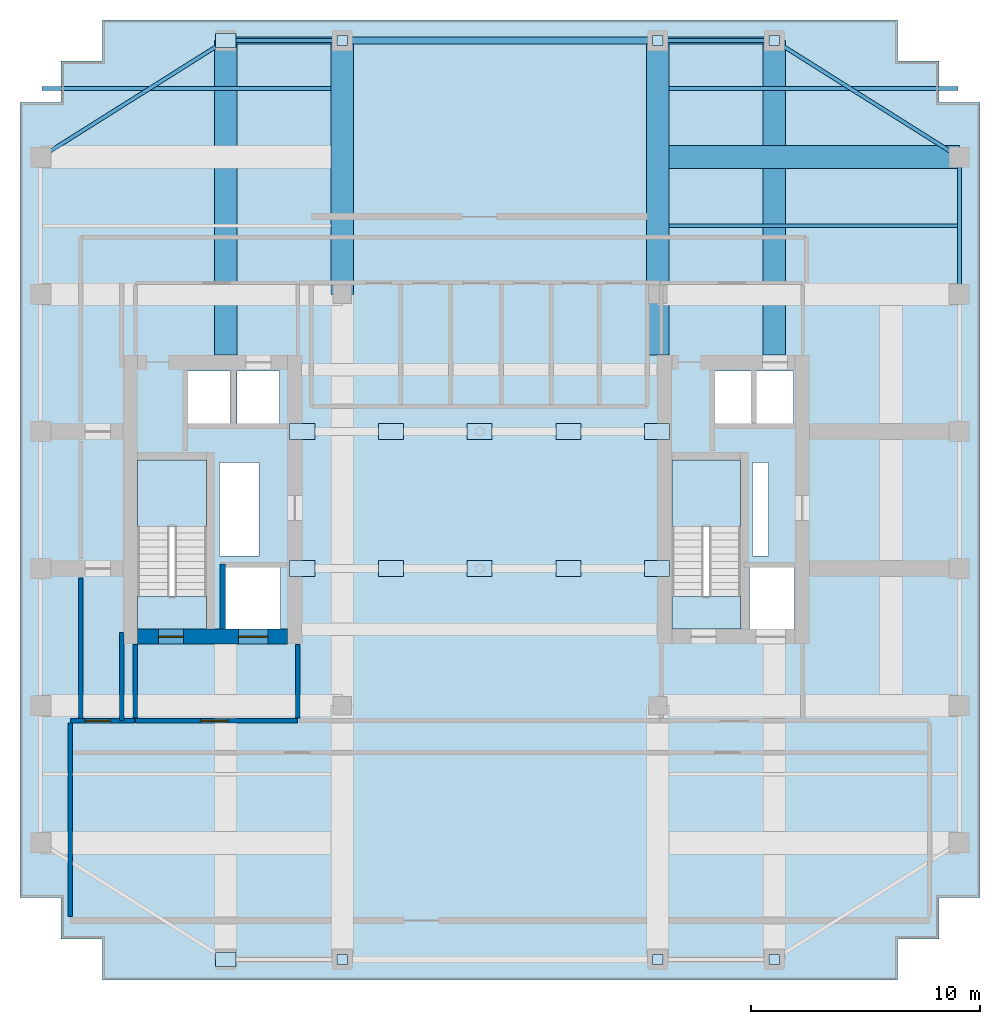
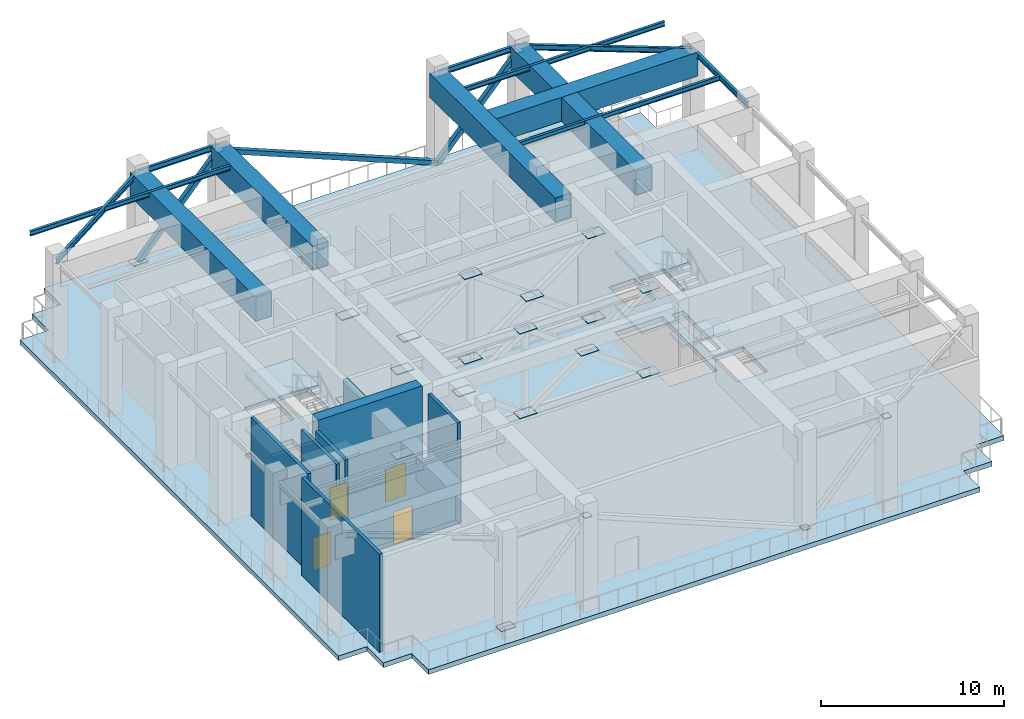
# One storey, part 3 of 9: 24 plates, 13 beams, 9 walls, 7 slabs, 4 doors, 3 members, 4 openings, 2 elements without a shape of their own.
"""IFC4 building model written with IfcOpenShell, lengths in metres."""

from ifc_helpers import new_model, si_unit, direction, frame, frame_2d, origin, origin_2d, place, context, subcontext, project, spatial, polyline, rectangle, hollow_rectangle, i_section, outline, extrude, source, transform, mapped, material, layer, layer_set, material_profile, profile_set, type_object, element, fill, aggregate, save


model = new_model("IFC4")

# Units and contexts
model_context = context("Model", 3, precision=1e-05, world=origin(), true_north=direction((0.0, 1.0)))
body_context = subcontext(model_context, "Body", "Model", "MODEL_VIEW")
ifc_project = project(units=[si_unit("LENGTHUNIT", "METRE"), si_unit("AREAUNIT", "SQUARE_METRE"), si_unit("VOLUMEUNIT", "CUBIC_METRE"), si_unit("PLANEANGLEUNIT", "RADIAN"), si_unit("MASSUNIT", "GRAM", prefix="KILO")], contexts=[model_context])

# Site, building, storey
site_placement = place(None, origin())
site = spatial("IfcSite", under=ifc_project, at=site_placement, CompositionType="ELEMENT")
building_placement = place(site_placement, origin())
building = spatial("IfcBuilding", under=site, at=building_placement, Name="Khoralis Quay Care Tower", CompositionType="ELEMENT")
storey_placement = place(building_placement, frame((0.0, 0.0, 220.5)))
storey = spatial("IfcBuildingStorey", under=building, at=storey_placement, Name="L58", CompositionType="ELEMENT", Elevation=220.5)

# Beams
ifc_material_1 = material(Name="Concrete C80/95", Category="concrete")
ifc_material_profile_1 = material_profile(ifc_material_1, rectangle(XDim=1.0, YDim=1.60009765625, at=origin_2d()), Name="Concrete C80/95")
ifc_profile_set_1 = profile_set([ifc_material_profile_1], Name="Concrete C80/95")
beam_type_1 = type_object("IfcBeamType", Name="TG-RC1000X1600", PredefinedType="BEAM", material=ifc_profile_set_1)
shared_shape_1 = source(origin(), body_context, "Body", "SweptSolid", [
    extrude(rectangle(XDim=1.0, YDim=1.60009765625, at=origin_2d()), origin(), (0.0, 0.0, 1.0), 11.10009765625),
])
beam_1_placement = place(storey_placement, frame((17.10009765625, 30.0, 5.75), z_axis=(0.0, 1.0, 0.0), x_axis=(-1.0, 0.0, 0.0)))
element("IfcBeam", 1, at=beam_1_placement, inside=storey, type_object=beam_type_1, Name="L58 Transfer girder BM-TGYN-L58-171", PredefinedType="BEAM", context=body_context, shape_type="MappedRepresentation", body=[
    mapped(shared_shape_1, transform((0.0, 0.0, 0.0), scale=1.0)),
])
shared_shape_2 = source(origin(), body_context, "Body", "SweptSolid", [
    extrude(rectangle(XDim=1.0, YDim=1.60009765625, at=origin_2d()), origin(), (0.0, 0.0, 1.0), 12.712158203125),
])
beam_2_placement = place(storey_placement, frame((31.387939453125, 36.0, 5.75), z_axis=(1.0, 0.0, 0.0), x_axis=(0.0, 1.0, 0.0)))
element("IfcBeam", 2, at=beam_2_placement, inside=storey, type_object=beam_type_1, Name="L58 Transfer girder BM-TGXE-L58-360", PredefinedType="BEAM", context=body_context, shape_type="MappedRepresentation", body=[
    mapped(shared_shape_2, transform((0.0, 0.0, 0.0), scale=1.0)),
])
ifc_material_2 = material(Name="Steel S355", Category="steel")
ifc_material_profile_2 = material_profile(ifc_material_2, i_section(OverallWidth=0.169921875, OverallDepth=0.360107421875, WebThickness=0.008056640625, FlangeThickness=0.0126953125, FilletRadius=0.01806640625, at=origin_2d()), Name="Steel S355")
ifc_profile_set_2 = profile_set([ifc_material_profile_2], Name="Steel S355")
beam_type_2 = type_object("IfcBeamType", Name="BM-IPE360", PredefinedType="SPANDREL", material=ifc_profile_set_2)
shared_shape_3 = source(origin(), body_context, "Body", "SweptSolid", [
    extrude(i_section(OverallWidth=0.169921875, OverallDepth=0.360107421875, WebThickness=0.008056640625, FlangeThickness=0.0126953125, FilletRadius=0.01806640625, at=origin_2d()), origin(), (0.0, 0.0, 1.0), 5.10009765625),
])
for number, where, z_axis, x_axis, name in (
    (3, (12.0, 41.10009765625, 6.3701171875), (1.0, 0.0, 0.0), (0.0, 1.0, 0.0), "BM-TSP-L58-03"),
    (4, (30.89990234375, 41.10009765625, 6.3701171875), (1.0, 0.0, 0.0), (0.0, 1.0, 0.0), "BM-TSP-L58-04"),
):
    element("IfcBeam", number, at=place(storey_placement, frame(where, z_axis=z_axis, x_axis=x_axis)), inside=storey, type_object=beam_type_2, Name=name, PredefinedType="SPANDREL", context=body_context, shape_type="MappedRepresentation", body=[
        mapped(shared_shape_3, transform((0.0, 0.0, 0.0), scale=1.0)),
    ])
shared_shape_4 = source(origin(), body_context, "Body", "SweptSolid", [
    extrude(i_section(OverallWidth=0.169921875, OverallDepth=0.360107421875, WebThickness=0.008056640625, FlangeThickness=0.0126953125, FilletRadius=0.01806640625, at=origin_2d()), origin(), (0.0, 0.0, 1.0), 6.0),
])
beam_3_placement = place(storey_placement, frame((44.10009765625, 30.0, 6.3701171875), z_axis=(0.0, 1.0, 0.0), x_axis=(-1.0, 0.0, 0.0)))
element("IfcBeam", 5, at=beam_3_placement, inside=storey, type_object=beam_type_2, Name="BM-TSP-L58-14", PredefinedType="SPANDREL", context=body_context, shape_type="MappedRepresentation", body=[
    mapped(shared_shape_4, transform((0.0, 0.0, 0.0), scale=1.0)),
])
shared_shape_5 = source(origin(), body_context, "Body", "SweptSolid", [
    extrude(i_section(OverallWidth=0.169921875, OverallDepth=0.360107421875, WebThickness=0.008056640625, FlangeThickness=0.0126953125, FilletRadius=0.01806640625, at=origin_2d()), origin(), (0.0, 0.0, 1.0), 9.572021484375),
])
for number, where, z_axis, x_axis, name in (
    (6, (12.0, 41.10009765625, 6.3701171875), (-0.846231136359, -0.532815975602, 0.0), (0.532815975602, -0.846231136359, 0.0), "BM-TCR-L58-17"),
    (7, (36.0, 41.10009765625, 6.3701171875), (0.846231136359, -0.532815975602, 0.0), (0.532815975602, 0.846231136359, 0.0), "BM-TCR-L58-18"),
):
    element("IfcBeam", number, at=place(storey_placement, frame(where, z_axis=z_axis, x_axis=x_axis)), inside=storey, type_object=beam_type_2, Name=name, PredefinedType="SPANDREL", context=body_context, shape_type="MappedRepresentation", body=[
        mapped(shared_shape_5, transform((0.0, 0.0, 0.0), scale=1.0)),
    ])
shared_shape_6 = source(origin(), body_context, "Body", "SweptSolid", [
    extrude(rectangle(XDim=1.0, YDim=1.60009765625, at=origin_2d()), origin(), (0.0, 0.0, 1.0), 13.752197265625),
])
for number, where, z_axis, x_axis, name in (
    (8, (12.0, 27.347900390625, 5.75), (0.0, 1.0, 0.0), (-1.0, 0.0, 0.0), "L58 Transfer girder BM-TGYN-L58-120"),
    (9, (30.89990234375, 27.347900390625, 5.75), (0.0, 1.0, 0.0), (-1.0, 0.0, 0.0), "L58 Transfer girder BM-TGYN-L58-309"),
    (10, (36.0, 27.347900390625, 5.75), (0.0, 1.0, 0.0), (-1.0, 0.0, 0.0), "L58 Transfer girder BM-TGYN-L58-360"),
):
    element("IfcBeam", number, at=place(storey_placement, frame(where, z_axis=z_axis, x_axis=x_axis)), inside=storey, type_object=beam_type_1, Name=name, PredefinedType="BEAM", context=body_context, shape_type="MappedRepresentation", body=[
        mapped(shared_shape_6, transform((0.0, 0.0, 0.0), scale=1.0)),
    ])
ifc_material_profile_3 = material_profile(ifc_material_2, i_section(OverallWidth=0.1650390625, OverallDepth=0.31005859375, WebThickness=0.005859375, FlangeThickness=0.009765625, FilletRadius=0.011962890625, at=origin_2d()), Name="Steel S355")
ifc_profile_set_3 = profile_set([ifc_material_profile_3], Name="Steel S355")
beam_type_3 = type_object("IfcBeamType", Name="BM-W310X39", PredefinedType="JOIST", material=ifc_profile_set_3)
shared_shape_7 = source(origin(), body_context, "Body", "SweptSolid", [
    extrude(i_section(OverallWidth=0.1650390625, OverallDepth=0.31005859375, WebThickness=0.005859375, FlangeThickness=0.009765625, FilletRadius=0.011962890625, at=origin_2d()), origin(), (0.0, 0.0, 1.0), 12.64111328125),
])
for number, where, z_axis, x_axis, name in (
    (11, (31.387939453125, 33.0, 6.39501953125), (1.0, 0.0, 0.0), (0.0, 1.0, 0.0), "BM-TJS-L58-22"),
    (12, (3.970947265625, 39.0, 6.39501953125), (1.0, 0.0, 0.0), (0.0, 1.0, 0.0), "BM-TJS-L58-23"),
    (13, (31.387939453125, 39.0, 6.39501953125), (1.0, 0.0, 0.0), (0.0, 1.0, 0.0), "BM-TJS-L58-24"),
):
    element("IfcBeam", number, at=place(storey_placement, frame(where, z_axis=z_axis, x_axis=x_axis)), inside=storey, type_object=beam_type_3, Name=name, PredefinedType="JOIST", context=body_context, shape_type="MappedRepresentation", body=[
        mapped(shared_shape_7, transform((0.0, 0.0, 0.0), scale=1.0)),
    ])

# Members
ifc_material_profile_4 = material_profile(ifc_material_2, hollow_rectangle(XDim=0.300048828125, YDim=0.300048828125, WallThickness=0.01611328125, at=origin_2d()), Name="Steel S355")
ifc_profile_set_4 = profile_set([ifc_material_profile_4], Name="Steel S355")
member_type = type_object("IfcMemberType", Name="BR-RHS300X300X16", PredefinedType="BRACE", material=ifc_profile_set_4)
shared_shape_8 = source(origin(), body_context, "Body", "SweptSolid", [
    extrude(hollow_rectangle(XDim=0.300048828125, YDim=0.300048828125, WallThickness=0.01611328125, at=origin_2d()), origin(), (0.0, 0.0, 1.0), 7.611572265625),
])
for number, where, z_axis, x_axis, name in (
    (14, (12.0, 41.10009765625, 0.449951171875), (0.670050319951, 0.0, 0.742315679973), (0.0, 1.0, 0.0), "L58 Belt truss diagonal 4"),
    (15, (30.89990234375, 41.10009765625, 0.449951171875), (0.670050319951, 0.0, 0.742315679973), (0.0, 1.0, 0.0), "L58 Belt truss diagonal 6"),
):
    element("IfcMember", number, at=place(storey_placement, frame(where, z_axis=z_axis, x_axis=x_axis)), inside=storey, type_object=member_type, Name=name, PredefinedType="BRACE", context=body_context, shape_type="MappedRepresentation", body=[
        mapped(shared_shape_8, transform((0.0, 0.0, 0.0), scale=1.0)),
    ])
shared_shape_9 = source(origin(), body_context, "Body", "SweptSolid", [
    extrude(hollow_rectangle(XDim=0.300048828125, YDim=0.300048828125, WallThickness=0.01611328125, at=origin_2d()), origin(), (0.0, 0.0, 1.0), 14.91162109375),
])
member_placement = place(storey_placement, frame((17.10009765625, 41.10009765625, 6.10009765625), z_axis=(0.925434771765, 0.0, -0.378906958512), x_axis=(0.0, 1.0, 0.0)))
element("IfcMember", 16, at=member_placement, inside=storey, type_object=member_type, Name="L58 Belt truss diagonal 5", PredefinedType="BRACE", context=body_context, shape_type="MappedRepresentation", body=[
    mapped(shared_shape_9, transform((0.0, 0.0, 0.0), scale=1.0)),
])

# Slab
ifc_material_3 = material(Name="Concrete C50/60", Category="concrete")
ifc_layer_1 = layer(ifc_material_3, 0.320068359375)
ifc_layer_set_1 = layer_set([ifc_layer_1], Name="Concrete C50/60")
slab_type_1 = type_object("IfcSlabType", Name="SLB-EXT-WIND-320", PredefinedType="FLOOR", material=ifc_layer_set_1)
slab_1_placement = place(storey_placement, frame((0.0, 0.0, -0.320068359375)))
element("IfcSlab", 17, at=slab_1_placement, inside=storey, type_object=slab_type_1, Name="Tower Floor Slab L58", PredefinedType="FLOOR", context=body_context, shape_type="SweptSolid", body=[
    extrude(outline(polyline([(6.60009765625, 0.0), (41.39990234375, 0.0), (41.39990234375, 1.800048828125), (43.199951171875, 1.800048828125), (43.199951171875, 3.60009765625), (45.0, 3.60009765625), (45.0, 38.39990234375), (43.199951171875, 38.39990234375), (43.199951171875, 40.199951171875), (41.39990234375, 40.199951171875), (41.39990234375, 42.0), (6.60009765625, 42.0), (6.60009765625, 40.199951171875), (4.800048828125, 40.199951171875), (4.800048828125, 38.39990234375), (3.0, 38.39990234375), (3.0, 3.60009765625), (4.800048828125, 3.60009765625), (4.800048828125, 1.800048828125), (6.60009765625, 1.800048828125), (6.60009765625, 0.0)]), holes=[polyline([(11.14990234375, 16.800048828125), (11.14990234375, 22.75), (8.14990234375, 22.75), (8.14990234375, 16.800048828125), (11.14990234375, 16.800048828125)]), polyline([(34.52001953125, 16.800048828125), (34.52001953125, 22.75), (31.52001953125, 22.75), (31.52001953125, 16.800048828125), (34.52001953125, 16.800048828125)]), polyline([(12.0, 15.35009765625), (14.39990234375, 15.35009765625), (14.39990234375, 18.050048828125), (12.0, 18.050048828125), (12.0, 15.35009765625)]), polyline([(34.919921875, 15.35009765625), (36.8798828125, 15.35009765625), (36.8798828125, 18.050048828125), (34.919921875, 18.050048828125), (34.919921875, 15.35009765625)]), polyline([(10.35009765625, 24.35009765625), (12.199951171875, 24.35009765625), (12.199951171875, 26.64990234375), (10.35009765625, 26.64990234375), (10.35009765625, 24.35009765625)]), polyline([(33.3798828125, 24.35009765625), (35.030029296875, 24.35009765625), (35.030029296875, 26.64990234375), (33.3798828125, 26.64990234375), (33.3798828125, 24.35009765625)]), polyline([(12.5, 24.35009765625), (14.35009765625, 24.35009765625), (14.35009765625, 26.64990234375), (12.5, 26.64990234375), (12.5, 24.35009765625)]), polyline([(35.199951171875, 24.35009765625), (36.85009765625, 24.35009765625), (36.85009765625, 26.64990234375), (35.199951171875, 26.64990234375), (35.199951171875, 24.35009765625)]), polyline([(11.719970703125, 18.550048828125), (13.449951171875, 18.550048828125), (13.449951171875, 22.64990234375), (11.719970703125, 22.64990234375), (11.719970703125, 18.550048828125)]), polyline([(35.050048828125, 18.550048828125), (35.75, 18.550048828125), (35.75, 22.64990234375), (35.050048828125, 22.64990234375), (35.050048828125, 18.550048828125)])]), origin(), (0.0, 0.0, 1.0), 0.320068359375),
])

# Stair, slabs
ifc_material_4 = material(Name="Precast concrete C45/55", Category="concrete")
stair_type = type_object("IfcStairType", Name="ST-TWR-DOGLEG-1400", PredefinedType="HALF_TURN_STAIR", material=ifc_material_4)
stair_1_placement = place(storey_placement, origin())
stair_1 = element("IfcStair", 18, at=stair_1_placement, inside=storey, type_object=stair_type, Name="L58 West Core Exit Stair ST-T1", PredefinedType="HALF_TURN_STAIR")
ifc_layer_2 = layer(ifc_material_4, 0.199951171875)
ifc_layer_set_2 = layer_set([ifc_layer_2], Name="Precast concrete C45/55")
slab_type_2 = type_object("IfcSlabType", Name="SLB-LANDING-200", PredefinedType="LANDING", material=ifc_layer_set_2)
slab_2_placement = place(storey_placement, frame((0.0, 0.0, 1.60009765625)))
slab_2 = element("IfcSlab", 19, at=slab_2_placement, type_object=slab_type_2, Name="ST-T1 landing 1", PredefinedType="LANDING", context=body_context, shape_type="SweptSolid", body=[
    extrude(outline(polyline([(11.14990234375, 19.840087890625), (11.14990234375, 22.75), (8.14990234375, 22.75), (8.14990234375, 19.840087890625), (11.14990234375, 19.840087890625)])), origin(), (0.0, 0.0, 1.0), 0.199951171875),
])
slab_3_placement = place(storey_placement, frame((0.0, 0.0, 3.39990234375)))
slab_3 = element("IfcSlab", 20, at=slab_3_placement, type_object=slab_type_2, Name="ST-T1 landing 2", PredefinedType="LANDING", context=body_context, shape_type="SweptSolid", body=[
    extrude(outline(polyline([(11.14990234375, 15.35009765625), (11.14990234375, 16.800048828125), (8.14990234375, 16.800048828125), (8.14990234375, 15.35009765625), (11.14990234375, 15.35009765625)])), origin(), (0.0, 0.0, 1.0), 0.2001953125),
])
slab_4_placement = place(storey_placement, frame((0.0, 0.0, 5.199951171875)))
slab_4 = element("IfcSlab", 21, at=slab_4_placement, type_object=slab_type_2, Name="ST-T1 landing 3", PredefinedType="LANDING", context=body_context, shape_type="SweptSolid", body=[
    extrude(outline(polyline([(11.14990234375, 19.840087890625), (11.14990234375, 22.75), (8.14990234375, 22.75), (8.14990234375, 19.840087890625), (11.14990234375, 19.840087890625)])), origin(), (0.0, 0.0, 1.0), 0.199951171875),
])
aggregate(stair_1, [slab_2, slab_3, slab_4])

stair_2_placement = place(storey_placement, origin())
stair_2 = element("IfcStair", 22, at=stair_2_placement, inside=storey, type_object=stair_type, Name="L58 East Core Exit Stair ST-T2", PredefinedType="HALF_TURN_STAIR")
slab_5_placement = place(storey_placement, frame((0.0, 0.0, 1.60009765625)))
slab_5 = element("IfcSlab", 23, at=slab_5_placement, type_object=slab_type_2, Name="ST-T2 landing 1", PredefinedType="LANDING", context=body_context, shape_type="SweptSolid", body=[
    extrude(outline(polyline([(34.52001953125, 19.840087890625), (34.52001953125, 22.75), (31.52001953125, 22.75), (31.52001953125, 19.840087890625), (34.52001953125, 19.840087890625)])), origin(), (0.0, 0.0, 1.0), 0.199951171875),
])
slab_6_placement = place(storey_placement, frame((0.0, 0.0, 3.39990234375)))
slab_6 = element("IfcSlab", 24, at=slab_6_placement, type_object=slab_type_2, Name="ST-T2 landing 2", PredefinedType="LANDING", context=body_context, shape_type="SweptSolid", body=[
    extrude(outline(polyline([(34.52001953125, 15.35009765625), (34.52001953125, 16.800048828125), (31.52001953125, 16.800048828125), (31.52001953125, 15.35009765625), (34.52001953125, 15.35009765625)])), origin(), (0.0, 0.0, 1.0), 0.2001953125),
])
slab_7_placement = place(storey_placement, frame((0.0, 0.0, 5.199951171875)))
slab_7 = element("IfcSlab", 25, at=slab_7_placement, type_object=slab_type_2, Name="ST-T2 landing 3", PredefinedType="LANDING", context=body_context, shape_type="SweptSolid", body=[
    extrude(outline(polyline([(34.52001953125, 19.840087890625), (34.52001953125, 22.75), (31.52001953125, 22.75), (31.52001953125, 19.840087890625), (34.52001953125, 19.840087890625)])), origin(), (0.0, 0.0, 1.0), 0.199951171875),
])
aggregate(stair_2, [slab_5, slab_6, slab_7])

# Plates
ifc_layer_3 = layer(ifc_material_2, 0.02490234375)
ifc_layer_set_3 = layer_set([ifc_layer_3], Name="Steel S355")
plate_type_1 = type_object("IfcPlateType", Name="PLT-CAP-450", PredefinedType="USERDEFINED", material=ifc_layer_set_3)
shared_shape_10 = source(origin(), body_context, "Body", "SweptSolid", [
    extrude(rectangle(XDim=0.449951171875, YDim=0.449951171875, at=origin_2d()), origin(), (0.0, 0.0, 1.0), 0.02490234375),
])
for number, where, z_axis, x_axis, name in (
    (26, (17.10009765625, 0.89990234375, 6.087646484375), (0.0, 0.0, 1.0), (1.0, 0.0, 0.0), "PLT-L58-CP-01"),
    (27, (30.89990234375, 0.89990234375, 0.4375), (0.0, 0.0, 1.0), (1.0, 0.0, 0.0), "PLT-L58-CP-02"),
    (28, (36.0, 0.89990234375, 6.087646484375), (0.0, 0.0, 1.0), (1.0, 0.0, 0.0), "PLT-L58-CP-03"),
    (29, (17.10009765625, 41.10009765625, 6.087646484375), (0.0, 0.0, 1.0), (1.0, 0.0, 0.0), "PLT-L58-CP-04"),
    (30, (30.89990234375, 41.10009765625, 0.4375), (0.0, 0.0, 1.0), (1.0, 0.0, 0.0), "PLT-L58-CP-05"),
    (31, (36.0, 41.10009765625, 6.087646484375), (0.0, 0.0, 1.0), (1.0, 0.0, 0.0), "PLT-L58-CP-06"),
):
    element("IfcPlate", number, at=place(storey_placement, frame(where, z_axis=z_axis, x_axis=x_axis)), inside=storey, type_object=plate_type_1, Name=name, ObjectType="BASE_PLATE", PredefinedType="USERDEFINED", context=body_context, shape_type="MappedRepresentation", body=[
        mapped(shared_shape_10, transform((0.0, 0.0, 0.0), scale=1.0)),
    ])
ifc_material_5 = material(Name="Steel S460", Category="steel")
ifc_layer_4 = layer(ifc_material_5, 0.034912109375)
ifc_layer_set_4 = layer_set([ifc_layer_4], Name="Steel S460")
plate_type_2 = type_object("IfcPlateType", Name="PLT-NODE-ON1", PredefinedType="USERDEFINED", material=ifc_layer_set_4)
shared_shape_11 = source(origin(), body_context, "Body", "SweptSolid", [
    extrude(rectangle(XDim=1.10009765625, YDim=0.699951171875, at=origin_2d()), origin(), (0.0, 0.0, 1.0), 0.034912109375),
])
for number, where, z_axis, x_axis, name in (
    (32, (15.35009765625, 18.0, 0.4326171875), (0.0, 0.0, 1.0), (1.0, 0.0, 0.0), "PLT-L58-CHND-18-153-2209"),
    (33, (30.8701171875, 18.0, 0.4326171875), (0.0, 0.0, 1.0), (1.0, 0.0, 0.0), "PLT-L58-CHND-18-308-2209"),
    (34, (15.35009765625, 18.0, 6.08251953125), (0.0, 0.0, 1.0), (1.0, 0.0, 0.0), "PLT-L58-CHND-18-153-2266"),
    (35, (30.8701171875, 18.0, 6.08251953125), (0.0, 0.0, 1.0), (1.0, 0.0, 0.0), "PLT-L58-CHND-18-308-2266"),
    (36, (23.110107421875, 18.0, 0.4326171875), (0.0, 0.0, 1.0), (1.0, 0.0, 0.0), "PLT-L58-CHND-18-231-2209"),
    (37, (23.110107421875, 18.0, 6.08251953125), (0.0, 0.0, 1.0), (1.0, 0.0, 0.0), "PLT-L58-CHND-18-231-2266"),
    (38, (19.22998046875, 18.0, 3.25732421875), (0.0, 0.0, 1.0), (1.0, 0.0, 0.0), "L58 Outrigger X-Brace Central Gusset 18.1"),
    (39, (26.989990234375, 18.0, 3.25732421875), (0.0, 0.0, 1.0), (1.0, 0.0, 0.0), "L58 Outrigger X-Brace Central Gusset 18.2"),
    (40, (15.35009765625, 24.0, 0.4326171875), (0.0, 0.0, 1.0), (1.0, 0.0, 0.0), "PLT-L58-CHND-24-153-2209"),
    (41, (30.8701171875, 24.0, 0.4326171875), (0.0, 0.0, 1.0), (1.0, 0.0, 0.0), "PLT-L58-CHND-24-308-2209"),
    (42, (15.35009765625, 24.0, 6.08251953125), (0.0, 0.0, 1.0), (1.0, 0.0, 0.0), "PLT-L58-CHND-24-153-2266"),
    (43, (30.8701171875, 24.0, 6.08251953125), (0.0, 0.0, 1.0), (1.0, 0.0, 0.0), "PLT-L58-CHND-24-308-2266"),
    (44, (23.110107421875, 24.0, 0.4326171875), (0.0, 0.0, 1.0), (1.0, 0.0, 0.0), "PLT-L58-CHND-24-231-2209"),
    (45, (23.110107421875, 24.0, 6.08251953125), (0.0, 0.0, 1.0), (1.0, 0.0, 0.0), "PLT-L58-CHND-24-231-2266"),
    (46, (19.22998046875, 24.0, 3.25732421875), (0.0, 0.0, 1.0), (1.0, 0.0, 0.0), "L58 Outrigger X-Brace Central Gusset 24.1"),
    (47, (26.989990234375, 24.0, 3.25732421875), (0.0, 0.0, 1.0), (1.0, 0.0, 0.0), "L58 Outrigger X-Brace Central Gusset 24.2"),
):
    element("IfcPlate", number, at=place(storey_placement, frame(where, z_axis=z_axis, x_axis=x_axis)), inside=storey, type_object=plate_type_2, Name=name, ObjectType="GUSSET_PLATE", PredefinedType="USERDEFINED", context=body_context, shape_type="MappedRepresentation", body=[
        mapped(shared_shape_11, transform((0.0, 0.0, 0.0), scale=1.0)),
    ])
ifc_layer_5 = layer(ifc_material_2, 0.030029296875)
ifc_layer_set_5 = layer_set([ifc_layer_5], Name="Steel S355")
plate_type_3 = type_object("IfcPlateType", Name="PLT-NODE-BN1", PredefinedType="USERDEFINED", material=ifc_layer_set_5)
shared_shape_12 = source(origin(), body_context, "Body", "SweptSolid", [
    extrude(rectangle(XDim=0.89990234375, YDim=0.60009765625, at=origin_2d()), origin(), (0.0, 0.0, 1.0), 0.030029296875),
])
for number, where, z_axis, x_axis, name in (
    (48, (12.0, 0.89990234375, 0.43505859375), (0.0, 0.0, 1.0), (1.0, 0.0, 0.0), "PLT-L58-BN-01"),
    (49, (12.0, 41.10009765625, 0.43505859375), (0.0, 0.0, 1.0), (1.0, 0.0, 0.0), "PLT-L58-BN-04"),
):
    element("IfcPlate", number, at=place(storey_placement, frame(where, z_axis=z_axis, x_axis=x_axis)), inside=storey, type_object=plate_type_3, Name=name, ObjectType="GUSSET_PLATE", PredefinedType="USERDEFINED", context=body_context, shape_type="MappedRepresentation", body=[
        mapped(shared_shape_12, transform((0.0, 0.0, 0.0), scale=1.0)),
    ])

# Wall, opening, door
ifc_material_6 = material(Name="Gypsum plasterboard on acoustic metal stud")
ifc_layer_6 = layer(ifc_material_6, 0.199951171875)
ifc_layer_set_6 = layer_set([ifc_layer_6], Name="Gypsum plasterboard on acoustic metal stud")
wall_type_1 = type_object("IfcWallType", Name="WL-COMP-200", PredefinedType="PARTITIONING", material=ifc_layer_set_6)
wall_1_placement = place(storey_placement, frame((8.050048828125, 11.35009765625, 0.0), z_axis=(0.0, 0.0, 1.0), x_axis=(1.0, 0.0, 0.0)))
wall_1 = element("IfcWall", 50, at=wall_1_placement, inside=storey, type_object=wall_type_1, Name="L58 West Firefighting Lobby South Wall", PredefinedType="PARTITIONING", context=body_context, shape_type="SweptSolid", body=[
    extrude(rectangle(XDim=7.099853515625, YDim=0.199951171875, at=frame_2d((3.5498046875, 0.0))), origin(), (0.0, 0.0, 1.0), 4.949951171875),
])
opening_1_placement = place(wall_1_placement, frame((2.846435546875, 0.0, 0.0)))
opening_1 = element("IfcOpeningElement", 51, at=opening_1_placement, cuts=wall_1, Name="Opening FD1", PredefinedType="OPENING", context=body_context, shape_type="SweptSolid", body=[
    extrude(rectangle(XDim=1.199951171875, YDim=2.199951171875, at=frame_2d((0.60009765625, 1.10009765625))), frame((0.0, 0.10986328125, 0.0), z_axis=(0.0, -1.0, 0.0), x_axis=(1.0, 0.0, 0.0)), (0.0, 0.0, 1.0), 0.219970703125),
])
ifc_material_7 = material(Name="Fire-rated painted steel", Category="steel")
door_type_1 = type_object("IfcDoorType", Name="DR-FFL-1200X2200", OperationType="NOTDEFINED", PredefinedType="DOOR", material=ifc_material_7)
shared_shape_13 = source(origin(), body_context, "Body", "SweptSolid", [
    extrude(rectangle(XDim=1.199951171875, YDim=2.199951171875, at=frame_2d((0.60009765625, 1.10009765625))), frame((0.0, 0.02490234375, 0.0), z_axis=(0.0, -1.0, 0.0), x_axis=(1.0, 0.0, 0.0)), (0.0, 0.0, 1.0), 0.050048828125),
])
door_1_placement = place(opening_1_placement, origin())
door_1 = element("IfcDoor", 52, at=door_1_placement, inside=storey, type_object=door_type_1, Name="L58 West Firefighting Lobby Fire Door", OperationType="SINGLE_SWING_RIGHT", OverallHeight=2.199951171875, OverallWidth=1.199951171875, PredefinedType="DOOR", context=body_context, shape_type="MappedRepresentation", body=[
    mapped(shared_shape_13, transform((0.0, 0.0, 0.0), scale=1.0)),
])
fill(opening_1, door_1)

# Walls
for number, where, z_axis, x_axis, name in (
    (53, (8.050048828125, 11.469970703125, 0.0), (0.0, 0.0, 1.0), (0.0, 1.0, 0.0), "L58 West Firefighting Lobby West Wall"),
    (54, (15.14990234375, 11.469970703125, 0.0), (0.0, 0.0, 1.0), (0.0, 1.0, 0.0), "L58 West Firefighting Lobby East Wall"),
):
    element("IfcWall", number, at=place(storey_placement, frame(where, z_axis=z_axis, x_axis=x_axis)), inside=storey, type_object=wall_type_1, Name=name, PredefinedType="PARTITIONING", context=body_context, shape_type="SweptSolid", body=[
        extrude(rectangle(XDim=3.2099609375, YDim=0.199951171875, at=frame_2d((1.60498046875, 0.0))), origin(), (0.0, 0.0, 1.0), 6.550048828125),
    ])
wall_2_placement = place(storey_placement, frame((5.199951171875, 2.77001953125, 0.0), z_axis=(0.0, 0.0, 1.0), x_axis=(0.0, 1.0, 0.0)))
element("IfcWall", 55, at=wall_2_placement, inside=storey, type_object=wall_type_1, Name="L58 Refuge West Compartment Wall", PredefinedType="PARTITIONING", context=body_context, shape_type="SweptSolid", body=[
    extrude(rectangle(XDim=8.47998046875, YDim=0.199951171875, at=frame_2d((4.239990234375, 0.0))), origin(), (0.0, 0.0, 1.0), 6.550048828125),
])

# Wall, opening, door
wall_3_placement = place(storey_placement, frame((5.199951171875, 11.35009765625, 0.0), z_axis=(0.0, 0.0, 1.0), x_axis=(1.0, 0.0, 0.0)))
wall_3 = element("IfcWall", 56, at=wall_3_placement, inside=storey, type_object=wall_type_1, Name="L58 Refuge Corridor North-West Cap", PredefinedType="PARTITIONING", context=body_context, shape_type="SweptSolid", body=[
    extrude(rectangle(XDim=2.800048828125, YDim=0.199951171875, at=frame_2d((1.39990234375, 0.0))), origin(), (0.0, 0.0, 1.0), 4.949951171875),
])
opening_2_placement = place(wall_3_placement, frame((0.64990234375, 0.0, 0.0)))
opening_2 = element("IfcOpeningElement", 57, at=opening_2_placement, cuts=wall_3, Name="Opening SD1", PredefinedType="OPENING", context=body_context, shape_type="SweptSolid", body=[
    extrude(rectangle(XDim=1.10009765625, YDim=2.199951171875, at=frame_2d((0.550048828125, 1.10009765625))), frame((0.0, 0.10986328125, 0.0), z_axis=(0.0, -1.0, 0.0), x_axis=(1.0, 0.0, 0.0)), (0.0, 0.0, 1.0), 0.219970703125),
])
door_type_2 = type_object("IfcDoorType", Name="DR-STAIR-1100X2200", OperationType="NOTDEFINED", PredefinedType="DOOR", material=ifc_material_7)
shared_shape_14 = source(origin(), body_context, "Body", "SweptSolid", [
    extrude(rectangle(XDim=1.10009765625, YDim=2.199951171875, at=frame_2d((0.550048828125, 1.10009765625))), frame((0.0, 0.02490234375, 0.0), z_axis=(0.0, -1.0, 0.0), x_axis=(1.0, 0.0, 0.0)), (0.0, 0.0, 1.0), 0.050048828125),
])
door_2_placement = place(opening_2_placement, origin())
door_2 = element("IfcDoor", 58, at=door_2_placement, inside=storey, type_object=door_type_2, Name="L58 Refuge Link Transfer Door", OperationType="SINGLE_SWING_LEFT", OverallHeight=2.199951171875, OverallWidth=1.10009765625, PredefinedType="DOOR", context=body_context, shape_type="MappedRepresentation", body=[
    mapped(shared_shape_14, transform((0.0, 0.0, 0.0), scale=1.0)),
])
fill(opening_2, door_2)

# Walls
wall_4_placement = place(storey_placement, frame((5.64990234375, 11.35009765625, 0.0), z_axis=(0.0, 0.0, 1.0), x_axis=(0.0, 1.0, 0.0)))
element("IfcWall", 59, at=wall_4_placement, inside=storey, type_object=wall_type_1, Name="L58 West Refuge Link Wall 1", PredefinedType="PARTITIONING", context=body_context, shape_type="SweptSolid", body=[
    extrude(rectangle(XDim=6.22998046875, YDim=0.199951171875, at=frame_2d((3.114990234375, 0.0))), origin(), (0.0, 0.0, 1.0), 6.550048828125),
])
wall_5_placement = place(storey_placement, frame((7.449951171875, 11.35009765625, 0.0), z_axis=(0.0, 0.0, 1.0), x_axis=(0.0, 1.0, 0.0)))
element("IfcWall", 60, at=wall_5_placement, inside=storey, type_object=wall_type_1, Name="L58 West Refuge Link Inner Wall 1", PredefinedType="PARTITIONING", context=body_context, shape_type="SweptSolid", body=[
    extrude(rectangle(XDim=3.849853515625, YDim=0.199951171875, at=frame_2d((1.9248046875, 0.0))), origin(), (0.0, 0.0, 1.0), 6.550048828125),
])

# Wall, openings, doors
ifc_material_8 = material(Name="Concrete C65/80", Category="concrete")
ifc_layer_7 = layer(ifc_material_8, 0.64990234375)
ifc_layer_set_7 = layer_set([ifc_layer_7], Name="Concrete C65/80")
wall_type_2 = type_object("IfcWallType", Name="WL-CORE-650", PredefinedType="SHEAR", material=ifc_layer_set_7)
wall_6_placement = place(storey_placement, frame((8.14990234375, 15.02490234375, 0.0), z_axis=(0.0, 0.0, 1.0), x_axis=(1.0, 0.0, 0.0)))
wall_6 = element("IfcWall", 61, at=wall_6_placement, inside=storey, type_object=wall_type_2, Name="L58 WCORE South Shear Wall", PredefinedType="SHEAR", context=body_context, shape_type="SweptSolid", body=[
    extrude(rectangle(XDim=6.550048828125, YDim=0.64990234375, at=frame_2d((3.27490234375, 0.0))), origin(), (0.0, 0.0, 1.0), 7.199951171875),
])
opening_3_placement = place(wall_6_placement, frame((0.89990234375, 0.0, 0.0)))
opening_3 = element("IfcOpeningElement", 62, at=opening_3_placement, cuts=wall_6, Name="Opening SD1", PredefinedType="OPENING", context=body_context, shape_type="SweptSolid", body=[
    extrude(rectangle(XDim=1.10009765625, YDim=2.199951171875, at=frame_2d((0.550048828125, 1.10009765625))), frame((0.0, 0.3349609375, 0.0), z_axis=(0.0, -1.0, 0.0), x_axis=(1.0, 0.0, 0.0)), (0.0, 0.0, 1.0), 0.669921875),
])
opening_4_placement = place(wall_6_placement, frame((4.39990234375, 0.0, 0.0)))
opening_4 = element("IfcOpeningElement", 63, at=opening_4_placement, cuts=wall_6, Name="Opening LD2", PredefinedType="OPENING", context=body_context, shape_type="SweptSolid", body=[
    extrude(rectangle(XDim=1.300048828125, YDim=2.199951171875, at=frame_2d((0.64990234375, 1.10009765625))), frame((0.0, 0.3349609375, 0.0), z_axis=(0.0, -1.0, 0.0), x_axis=(1.0, 0.0, 0.0)), (0.0, 0.0, 1.0), 0.669921875),
])
door_3_placement = place(opening_3_placement, origin())
door_3 = element("IfcDoor", 64, at=door_3_placement, inside=storey, type_object=door_type_2, Name="L58 Stair ST-T1 Fire Door", OperationType="SINGLE_SWING_RIGHT", OverallHeight=2.199951171875, OverallWidth=1.10009765625, PredefinedType="DOOR", context=body_context, shape_type="MappedRepresentation", body=[
    mapped(shared_shape_14, transform((0.0, 0.0, 0.0), scale=1.0)),
])
fill(opening_3, door_3)
ifc_material_9 = material(Name="Brushed stainless steel", Category="steel")
door_type_3 = type_object("IfcDoorType", Name="DR-LIFT-1300X2200", OperationType="SLIDING_TO_RIGHT", PredefinedType="DOOR", material=ifc_material_9)
shared_shape_15 = source(origin(), body_context, "Body", "SweptSolid", [
    extrude(rectangle(XDim=1.300048828125, YDim=2.199951171875, at=frame_2d((0.64990234375, 1.10009765625))), frame((0.0, 0.02490234375, 0.0), z_axis=(0.0, -1.0, 0.0), x_axis=(1.0, 0.0, 0.0)), (0.0, 0.0, 1.0), 0.050048828125),
])
door_4_placement = place(opening_4_placement, origin())
door_4 = element("IfcDoor", 65, at=door_4_placement, inside=storey, type_object=door_type_3, Name="L58 Firefighting Lift FFL-1 Landing Door", OperationType="SLIDING_TO_RIGHT", OverallHeight=2.199951171875, OverallWidth=1.300048828125, PredefinedType="DOOR", context=body_context, shape_type="MappedRepresentation", body=[
    mapped(shared_shape_15, transform((0.0, 0.0, 0.0), scale=1.0)),
])
fill(opening_4, door_4)

# Wall
ifc_layer_8 = layer(ifc_material_6, 0.239990234375)
ifc_layer_set_8 = layer_set([ifc_layer_8], Name="Gypsum plasterboard on acoustic metal stud")
wall_type_3 = type_object("IfcWallType", Name="WL-SHAFT-240", PredefinedType="PARTITIONING", material=ifc_layer_set_8)
wall_7_placement = place(storey_placement, frame((11.8798828125, 15.35009765625, 0.0), z_axis=(0.0, 0.0, 1.0), x_axis=(0.0, 1.0, 0.0)))
element("IfcWall", 66, at=wall_7_placement, inside=storey, type_object=wall_type_3, Name="L58 FFL-1 Shaft Wall West", PredefinedType="PARTITIONING", context=body_context, shape_type="SweptSolid", body=[
    extrude(rectangle(XDim=2.849853515625, YDim=0.239990234375, at=frame_2d((1.4248046875, 0.0))), origin(), (0.0, 0.0, 1.0), 6.550048828125),
])

save(model, "model.ifc")
